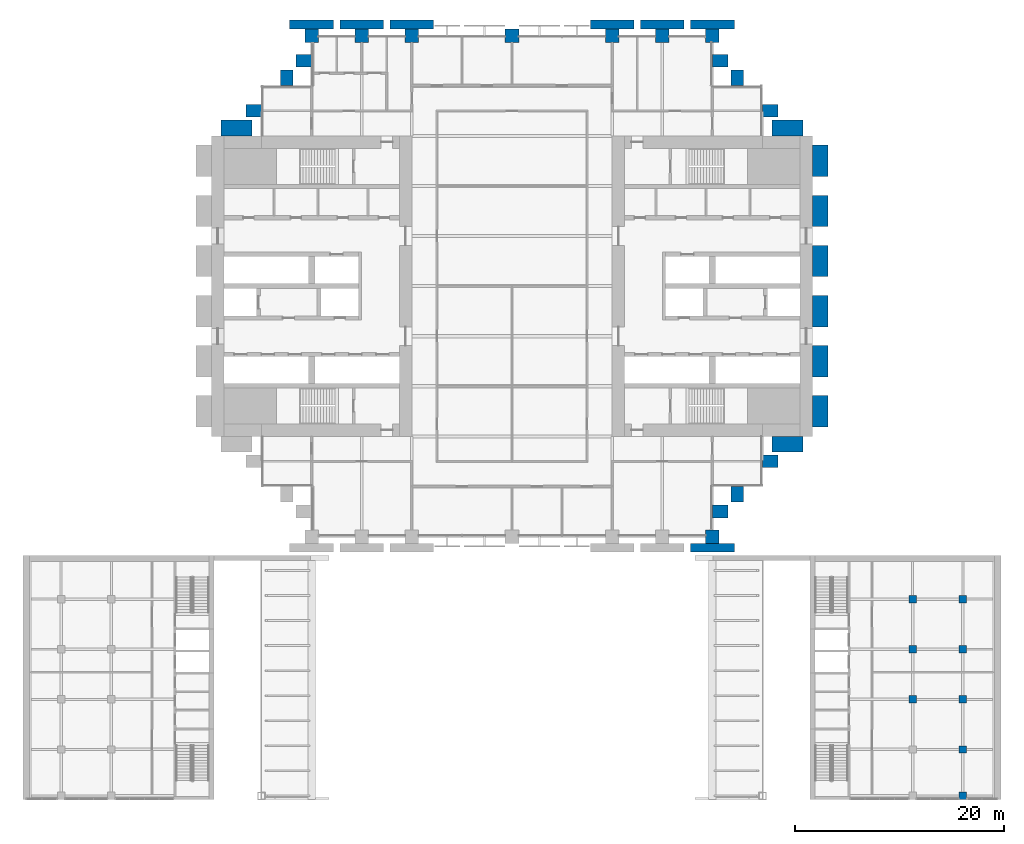
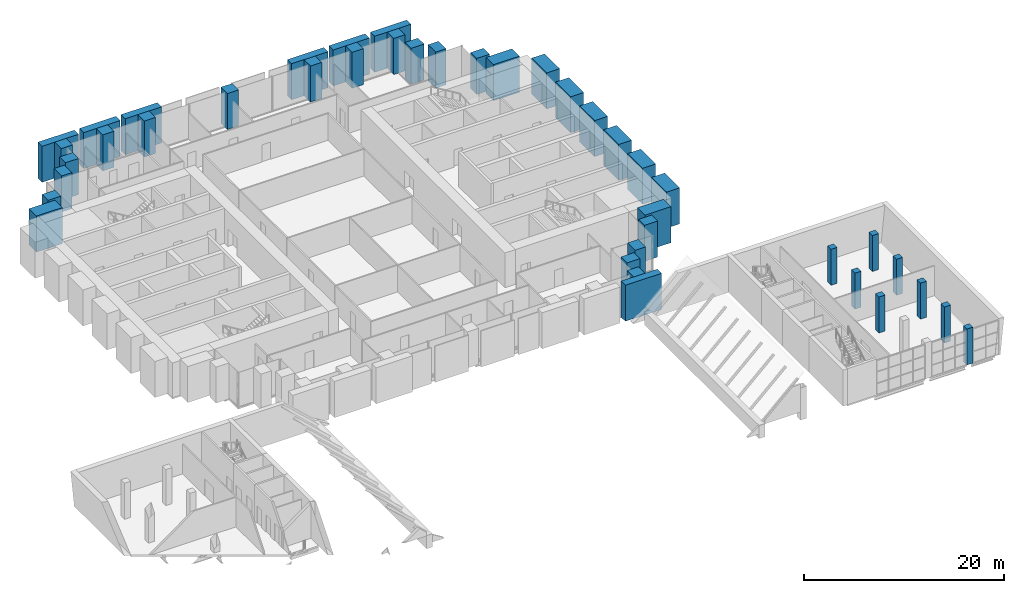
# One storey, part 2 of 30: 41 columns.
"""IFC4 building model written with IfcOpenShell, lengths in metres."""

from ifc_helpers import new_model, si_unit, direction, frame, origin, origin_2d, place, context, subcontext, project, spatial, rectangle, extrude, material, material_profile, profile_set, type_object, element, save


model = new_model("IFC4")

# Units and contexts
model_context = context("Model", 3, precision=1e-05, world=origin(), true_north=direction((0.0, 1.0)))
body_context = subcontext(model_context, "Body", "Model", "MODEL_VIEW")
ifc_project = project(units=[si_unit("LENGTHUNIT", "METRE"), si_unit("AREAUNIT", "SQUARE_METRE"), si_unit("VOLUMEUNIT", "CUBIC_METRE"), si_unit("PLANEANGLEUNIT", "RADIAN"), si_unit("MASSUNIT", "GRAM", prefix="KILO")], contexts=[model_context])

# Site, building, storey
site_placement = place(None, origin())
site = spatial("IfcSite", under=ifc_project, at=site_placement, CompositionType="ELEMENT")
building_placement = place(site_placement, origin())
building = spatial("IfcBuilding", under=site, at=building_placement, Name="Baori Bourse Tower", CompositionType="ELEMENT")
storey_placement = place(building_placement, frame((0.0, 0.0, 17.0)))
storey = spatial("IfcBuildingStorey", under=building, at=storey_placement, Name="L02", CompositionType="ELEMENT", Elevation=17.0)

# Columns
ifc_material_1 = material(Name="Concrete f'c 60 MPa", Category="concrete")
ifc_material_profile_1 = material_profile(ifc_material_1, rectangle(XDim=1.199951171875, YDim=1.5, at=origin_2d()), Name="RC 1200x1500")
ifc_profile_set_1 = profile_set([ifc_material_profile_1], Name="Concrete f'c 60 MPa")
column_type_1 = type_object("IfcColumnType", Name="FN2 Brick pilaster", PredefinedType="PILASTER", material=ifc_profile_set_1)
for number, where, z_axis, x_axis, name in (
    (1, (53.550048828125, 40.800048828125, 0.0), (0.0, 0.0, 1.0), (0.0, 1.0, 0.0), "Brick pilaster L02 1"),
    (2, (50.39990234375, 43.949951171875, 0.0), (0.0, 0.0, 1.0), (1.0, 0.0, 0.0), "Brick pilaster L02 2"),
    (3, (48.75, 45.60009765625, 0.0), (0.0, 0.0, 1.0), (0.0, 1.0, 0.0), "Brick pilaster L02 3"),
    (4, (8.85009765625, 45.60009765625, 0.0), (0.0, 0.0, 1.0), (0.0, 1.0, 0.0), "Brick pilaster L02 4"),
    (5, (7.199951171875, 43.949951171875, 0.0), (0.0, 0.0, 1.0), (1.0, 0.0, 0.0), "Brick pilaster L02 5"),
    (6, (4.050048828125, 40.800048828125, 0.0), (0.0, 0.0, 1.0), (0.0, 1.0, 0.0), "Brick pilaster L02 6"),
    (7, (48.75, 2.39990234375, 0.0), (0.0, 0.0, 1.0), (0.0, 1.0, 0.0), "Brick pilaster L02 10"),
    (8, (50.39990234375, 4.050048828125, 0.0), (0.0, 0.0, 1.0), (1.0, 0.0, 0.0), "Brick pilaster L02 11"),
    (9, (53.550048828125, 7.199951171875, 0.0), (0.0, 0.0, 1.0), (0.0, 1.0, 0.0), "Brick pilaster L02 12"),
):
    element("IfcColumn", number, at=place(storey_placement, frame(where, z_axis=z_axis, x_axis=x_axis)), inside=storey, type_object=column_type_1, Name=name, PredefinedType="PILASTER", context=body_context, shape_type="SweptSolid", body=[
        extrude(rectangle(XDim=1.199951171875, YDim=1.5, at=origin_2d()), origin(), (0.0, 0.0, 1.0), 4.39990234375),
    ])
ifc_material_2 = material(Name="Concrete f'c 60 MPa", Category="concrete")
ifc_material_profile_2 = material_profile(ifc_material_2, rectangle(XDim=4.199951171875, YDim=0.85009765625, at=origin_2d()), Name="RC 4200x850")
ifc_profile_set_2 = profile_set([ifc_material_profile_2], Name="Concrete f'c 60 MPa")
column_type_2 = type_object("IfcColumnType", Name="FN3 Brick pilaster 4200x850", PredefinedType="PILASTER", material=ifc_profile_set_2)
for number, where, z_axis, x_axis, name in (
    (10, (48.0, -1.074951171875, 0.0), (0.0, 0.0, 1.0), (1.0, 0.0, 0.0), "Brick pilaster L02 34"),
    (11, (9.60009765625, 49.074951171875, 0.0), (0.0, 0.0, 1.0), (1.0, 0.0, 0.0), "Brick pilaster L02 35"),
    (12, (14.39990234375, 49.074951171875, 0.0), (0.0, 0.0, 1.0), (1.0, 0.0, 0.0), "Brick pilaster L02 36"),
    (13, (19.199951171875, 49.074951171875, 0.0), (0.0, 0.0, 1.0), (1.0, 0.0, 0.0), "Brick pilaster L02 37"),
    (14, (38.39990234375, 49.074951171875, 0.0), (0.0, 0.0, 1.0), (1.0, 0.0, 0.0), "Brick pilaster L02 38"),
    (15, (43.199951171875, 49.074951171875, 0.0), (0.0, 0.0, 1.0), (1.0, 0.0, 0.0), "Brick pilaster L02 39"),
    (16, (48.0, 49.074951171875, 0.0), (0.0, 0.0, 1.0), (1.0, 0.0, 0.0), "Brick pilaster L02 40"),
):
    element("IfcColumn", number, at=place(storey_placement, frame(where, z_axis=z_axis, x_axis=x_axis)), inside=storey, type_object=column_type_2, Name=name, PredefinedType="PILASTER", context=body_context, shape_type="SweptSolid", body=[
        extrude(rectangle(XDim=4.199951171875, YDim=0.85009765625, at=origin_2d()), origin(), (0.0, 0.0, 1.0), 4.39990234375),
    ])
ifc_material_3 = material(Name="Concrete f'c 60 MPa", Category="concrete")
ifc_material_profile_3 = material_profile(ifc_material_3, rectangle(XDim=3.0, YDim=1.5, at=origin_2d()), Name="RC 3000x1500")
ifc_profile_set_3 = profile_set([ifc_material_profile_3], Name="Concrete f'c 60 MPa")
column_type_3 = type_object("IfcColumnType", Name="FN4 Brick flank pilaster 3000x1500", PredefinedType="PILASTER", material=ifc_profile_set_3)
for number, where, z_axis, x_axis, name in (
    (17, (55.199951171875, 8.85009765625, 0.0), (0.0, 0.0, 1.0), (1.0, 0.0, 0.0), "Brick pilaster L02 13"),
    (18, (58.35009765625, 12.0, 0.0), (0.0, 0.0, 1.0), (0.0, 1.0, 0.0), "Brick pilaster L02 14"),
    (19, (58.35009765625, 16.800048828125, 0.0), (0.0, 0.0, 1.0), (0.0, 1.0, 0.0), "Brick pilaster L02 15"),
    (20, (58.35009765625, 21.60009765625, 0.0), (0.0, 0.0, 1.0), (0.0, 1.0, 0.0), "Brick pilaster L02 16"),
    (21, (58.35009765625, 26.39990234375, 0.0), (0.0, 0.0, 1.0), (0.0, 1.0, 0.0), "Brick pilaster L02 17"),
    (22, (58.35009765625, 31.199951171875, 0.0), (0.0, 0.0, 1.0), (0.0, 1.0, 0.0), "Brick pilaster L02 18"),
    (23, (58.35009765625, 36.0, 0.0), (0.0, 0.0, 1.0), (0.0, 1.0, 0.0), "Brick pilaster L02 19"),
    (24, (55.199951171875, 39.14990234375, 0.0), (0.0, 0.0, 1.0), (1.0, 0.0, 0.0), "Brick pilaster L02 20"),
    (25, (2.39990234375, 39.14990234375, 0.0), (0.0, 0.0, 1.0), (1.0, 0.0, 0.0), "Brick pilaster L02 21"),
):
    element("IfcColumn", number, at=place(storey_placement, frame(where, z_axis=z_axis, x_axis=x_axis)), inside=storey, type_object=column_type_3, Name=name, PredefinedType="PILASTER", context=body_context, shape_type="SweptSolid", body=[
        extrude(rectangle(XDim=3.0, YDim=1.5, at=origin_2d()), origin(), (0.0, 0.0, 1.0), 4.39990234375),
    ])
ifc_material_4 = material(Name="Concrete f'c 70 MPa", Category="concrete")
ifc_material_profile_4 = material_profile(ifc_material_4, rectangle(XDim=1.300048828125, YDim=1.300048828125, at=origin_2d()), Name="RC 1300x1300")
ifc_profile_set_4 = profile_set([ifc_material_profile_4], Name="Concrete f'c 70 MPa")
column_type_4 = type_object("IfcColumnType", Name="Perimeter column RC 1300x1300", PredefinedType="COLUMN", material=ifc_profile_set_4)
for number, where, z_axis, x_axis, name in (
    (26, (48.0, 0.0, 0.0), (0.0, 0.0, 1.0), (1.0, 0.0, 0.0), "Perimeter column L02"),
    (27, (9.60009765625, 48.0, 0.0), (0.0, 0.0, 1.0), (1.0, 0.0, 0.0), "Perimeter column L02"),
    (28, (14.39990234375, 48.0, 0.0), (0.0, 0.0, 1.0), (1.0, 0.0, 0.0), "Perimeter column L02"),
    (29, (19.199951171875, 48.0, 0.0), (0.0, 0.0, 1.0), (1.0, 0.0, 0.0), "Perimeter column L02"),
    (30, (28.800048828125, 48.0, 0.0), (0.0, 0.0, 1.0), (1.0, 0.0, 0.0), "Perimeter column L02"),
    (31, (38.39990234375, 48.0, 0.0), (0.0, 0.0, 1.0), (1.0, 0.0, 0.0), "Perimeter column L02"),
    (32, (43.199951171875, 48.0, 0.0), (0.0, 0.0, 1.0), (1.0, 0.0, 0.0), "Perimeter column L02"),
    (33, (48.0, 48.0, 0.0), (0.0, 0.0, 1.0), (1.0, 0.0, 0.0), "Perimeter column L02"),
):
    element("IfcColumn", number, at=place(storey_placement, frame(where, z_axis=z_axis, x_axis=x_axis)), inside=storey, type_object=column_type_4, Name=name, PredefinedType="COLUMN", context=body_context, shape_type="SweptSolid", body=[
        extrude(rectangle(XDim=1.300048828125, YDim=1.300048828125, at=origin_2d()), origin(), (0.0, 0.0, 1.0), 4.39990234375),
    ])
ifc_material_5 = material(Name="Concrete f'c 50 MPa", Category="concrete")
ifc_material_profile_5 = material_profile(ifc_material_5, rectangle(XDim=0.699951171875, YDim=0.699951171875, at=origin_2d()), Name="Wing column 700")
ifc_profile_set_5 = profile_set([ifc_material_profile_5], Name="Concrete f'c 50 MPa")
column_type_5 = type_object("IfcColumnType", Name="Wing column 700", PredefinedType="COLUMN", material=ifc_profile_set_5)
for number, where, z_axis, x_axis, name in (
    (34, (72.0, -24.85009765625, 0.0), (0.0, 0.0, 1.0), (1.0, 0.0, 0.0), "wing/L02/Ecol/001"),
    (35, (72.0, -20.39990234375, 0.0), (0.0, 0.0, 1.0), (1.0, 0.0, 0.0), "wing/L02/Ecol/002"),
    (36, (72.0, -15.60009765625, 0.0), (0.0, 0.0, 1.0), (1.0, 0.0, 0.0), "wing/L02/Ecol/003"),
    (37, (72.0, -10.800048828125, 0.0), (0.0, 0.0, 1.0), (1.0, 0.0, 0.0), "wing/L02/Ecol/004"),
    (38, (72.0, -6.0, 0.0), (0.0, 0.0, 1.0), (1.0, 0.0, 0.0), "wing/L02/Ecol/005"),
    (39, (67.199951171875, -15.60009765625, 0.0), (0.0, 0.0, 1.0), (1.0, 0.0, 0.0), "wing/L02/Ecol/008"),
    (40, (67.199951171875, -10.800048828125, 0.0), (0.0, 0.0, 1.0), (1.0, 0.0, 0.0), "wing/L02/Ecol/009"),
    (41, (67.199951171875, -6.0, 0.0), (0.0, 0.0, 1.0), (1.0, 0.0, 0.0), "wing/L02/Ecol/010"),
):
    element("IfcColumn", number, at=place(storey_placement, frame(where, z_axis=z_axis, x_axis=x_axis)), inside=storey, type_object=column_type_5, Name=name, PredefinedType="COLUMN", context=body_context, shape_type="SweptSolid", body=[
        extrude(rectangle(XDim=0.699951171875, YDim=0.699951171875, at=origin_2d()), origin(), (0.0, 0.0, 1.0), 4.39990234375),
    ])

save(model, "model.ifc")
